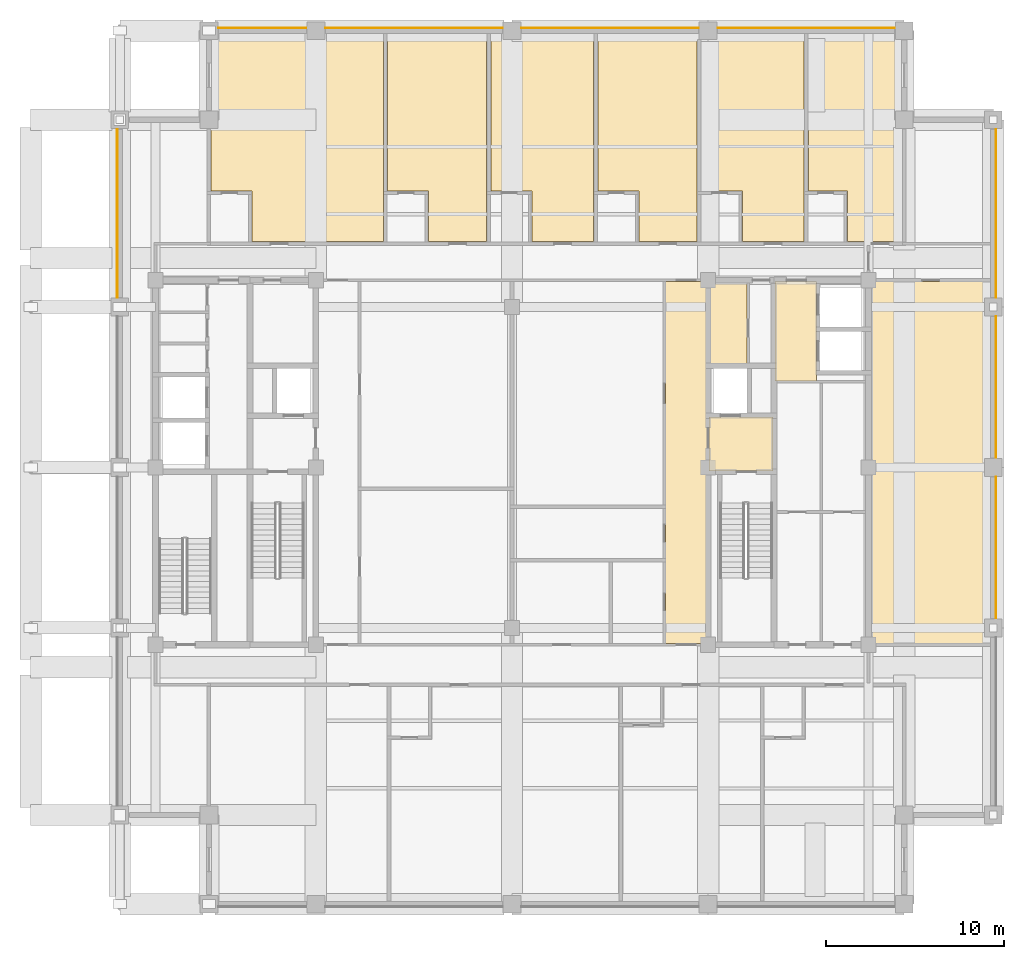
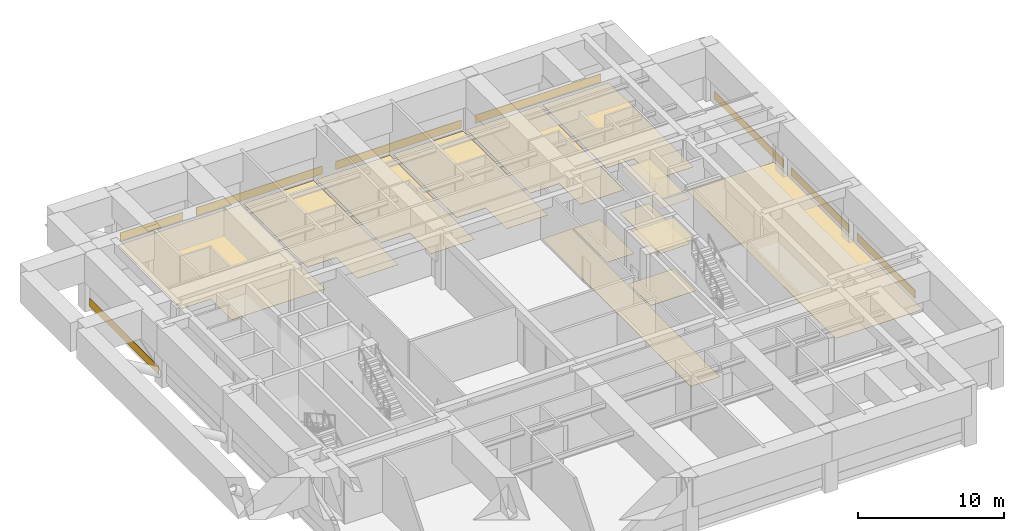
# One storey, part 11 of 11: 21 coverings.
"""IFC4 building model written with IfcOpenShell, lengths in metres."""

from ifc_helpers import new_model, si_unit, direction, frame, frame_2d, origin, place, context, subcontext, project, spatial, polyline, rectangle, outline, extrude, material, layer, layer_set, type_object, element, save


model = new_model("IFC4")

# Units and contexts
model_context = context("Model", 3, precision=1e-05, world=origin(), true_north=direction((0.0, 1.0)))
body_context = subcontext(model_context, "Body", "Model", "MODEL_VIEW")
ifc_project = project(units=[si_unit("LENGTHUNIT", "METRE"), si_unit("AREAUNIT", "SQUARE_METRE"), si_unit("VOLUMEUNIT", "CUBIC_METRE"), si_unit("PLANEANGLEUNIT", "RADIAN"), si_unit("MASSUNIT", "GRAM", prefix="KILO")], contexts=[model_context])

# Site, building, storey
site_placement = place(None, origin())
site = spatial("IfcSite", under=ifc_project, at=site_placement, CompositionType="ELEMENT")
building_placement = place(site_placement, origin())
building = spatial("IfcBuilding", under=site, at=building_placement, Name="Zulmaris Gate Convention Tower", CompositionType="ELEMENT")
storey_placement = place(building_placement, frame((0.0, 0.0, 186.4599609375)))
storey = spatial("IfcBuildingStorey", under=building, at=storey_placement, Name="L48", CompositionType="ELEMENT", Elevation=186.4599609375)

# Coverings
ifc_material_1 = material(Name="Precast concrete C40/50", Category="concrete")
ifc_layer_1 = layer(ifc_material_1, 0.0400390625, Name="Precast concrete C40/50")
ifc_layer_set_1 = layer_set([ifc_layer_1], Name="Precast concrete C40/50")
covering_type_1 = type_object("IfcCoveringType", Name="CLAD-SPANDREL-PRECAST", PredefinedType="CLADDING", material=ifc_layer_set_1)
covering_1_placement = place(storey_placement, frame((-11.530029296875, 24.64990234375, 0.0), z_axis=(0.0, 0.0, 1.0), x_axis=(-1.0, 0.0, 0.0)))
element("IfcCovering", 1, at=covering_1_placement, inside=storey, type_object=covering_type_1, Name="CLD-L48-N-0_0", PredefinedType="CLADDING", context=body_context, shape_type="SweptSolid", body=[
    extrude(rectangle(XDim=4.93994140625, YDim=0.0400390625, at=frame_2d((2.469970703125, 0.0))), origin(), (0.0, 0.0, 1.0), 0.679931640625),
])
for number, where, z_axis, x_axis, name in (
    (2, (-0.530029296875, 24.64990234375, 0.0), (0.0, 0.0, 1.0), (-1.0, 0.0, 0.0), "CLD-L48-N-1_0"),
    (3, (10.469970703125, 24.64990234375, 0.0), (0.0, 0.0, 1.0), (-1.0, 0.0, 0.0), "CLD-L48-N-2_0"),
    (4, (21.469970703125, 24.64990234375, 0.0), (0.0, 0.0, 1.0), (-1.0, 0.0, 0.0), "CLD-L48-N-3_0"),
):
    element("IfcCovering", number, at=place(storey_placement, frame(where, z_axis=z_axis, x_axis=x_axis)), inside=storey, type_object=covering_type_1, Name=name, PredefinedType="CLADDING", context=body_context, shape_type="SweptSolid", body=[
        extrude(rectangle(XDim=9.93994140625, YDim=0.0400390625, at=frame_2d((4.969970703125, 0.0))), origin(), (0.0, 0.0, 1.0), 0.679931640625),
    ])
for number, where, z_axis, x_axis, name in (
    (5, (27.14990234375, -8.469970703125, 0.0), (0.0, 0.0, 1.0), (0.0, 1.0, 0.0), "CLD-L48-E-1_0"),
    (6, (27.14990234375, 0.530029296875, 0.0), (0.0, 0.0, 1.0), (0.0, 1.0, 0.0), "CLD-L48-E-2_0"),
):
    element("IfcCovering", number, at=place(storey_placement, frame(where, z_axis=z_axis, x_axis=x_axis)), inside=storey, type_object=covering_type_1, Name=name, PredefinedType="CLADDING", context=body_context, shape_type="SweptSolid", body=[
        extrude(rectangle(XDim=7.93994140625, YDim=0.0400390625, at=frame_2d((3.969970703125, 0.0))), origin(), (0.0, 0.0, 1.0), 0.679931640625),
    ])
for number, where, z_axis, x_axis, name in (
    (7, (27.14990234375, 9.530029296875, 0.0), (0.0, 0.0, 1.0), (0.0, 1.0, 0.0), "CLD-L48-E-3_0"),
    (8, (-22.14990234375, 18.969970703125, 0.0), (0.0, 0.0, 1.0), (0.0, -1.0, 0.0), "CLD-L48-W-3_0"),
):
    element("IfcCovering", number, at=place(storey_placement, frame(where, z_axis=z_axis, x_axis=x_axis)), inside=storey, type_object=covering_type_1, Name=name, PredefinedType="CLADDING", context=body_context, shape_type="SweptSolid", body=[
        extrude(rectangle(XDim=9.43994140625, YDim=0.0400390625, at=frame_2d((4.719970703125, 0.0))), origin(), (0.0, 0.0, 1.0), 0.679931640625),
    ])
ifc_material_2 = material(Name="Mineral Fibre Acoustic Ceiling Tile")
ifc_layer_2 = layer(ifc_material_2, 0.02001953125, Name="Mineral Fibre Acoustic Ceiling Tile")
ifc_layer_set_2 = layer_set([ifc_layer_2], Name="Mineral Fibre Acoustic Ceiling Tile")
covering_type_2 = type_object("IfcCoveringType", Name="CLG-ACOUSTIC-600", PredefinedType="CEILING", material=ifc_layer_set_2)
covering_2_placement = place(storey_placement, frame((0.0, 0.0, 4.294921875)))
element("IfcCovering", 9, at=covering_2_placement, inside=storey, type_object=covering_type_2, Name="CLG-L48-R08", PredefinedType="CEILING", context=body_context, shape_type="SweptSolid", body=[
    extrude(outline(polyline([(11.06005859375, -0.18994140625), (14.639892578125, -0.18994140625), (14.639892578125, 2.840087890625), (11.06005859375, 2.840087890625), (11.06005859375, -0.18994140625)])), origin(), (0.0, 0.0, 1.0), 0.02001953125),
])
covering_3_placement = place(storey_placement, frame((0.0, 0.0, 3.735107421875)))
element("IfcCovering", 10, at=covering_3_placement, inside=storey, type_object=covering_type_2, Name="CLG-L48-R24", PredefinedType="CEILING", context=body_context, shape_type="SweptSolid", body=[
    extrude(outline(polyline([(14.760009765625, 4.860107421875), (17.090087890625, 4.860107421875), (17.090087890625, 10.43994140625), (14.760009765625, 10.43994140625), (14.760009765625, 4.860107421875)])), origin(), (0.0, 0.0, 1.0), 0.02001953125),
])
ifc_material_3 = material(Name="Woven Acoustic Wool Carpet Tile")
ifc_layer_3 = layer(ifc_material_3, 0.02001953125, Name="Woven Acoustic Wool Carpet Tile")
ifc_layer_set_3 = layer_set([ifc_layer_3], Name="Woven Acoustic Wool Carpet Tile")
covering_type_3 = type_object("IfcCoveringType", Name="FLR-CARPET-12", PredefinedType="FLOORING", material=ifc_layer_set_3)
covering_4_placement = place(storey_placement, origin())
element("IfcCovering", 11, at=covering_4_placement, inside=storey, type_object=covering_type_3, Name="FLR-L48-R08", PredefinedType="FLOORING", context=body_context, shape_type="SweptSolid", body=[
    extrude(outline(polyline([(11.06005859375, -0.18994140625), (14.639892578125, -0.18994140625), (14.639892578125, 2.840087890625), (11.06005859375, 2.840087890625), (11.06005859375, -0.18994140625)])), origin(), (0.0, 0.0, 1.0), 0.02001953125),
])
covering_5_placement = place(storey_placement, origin())
element("IfcCovering", 12, at=covering_5_placement, inside=storey, type_object=covering_type_3, Name="FLR-L48-R12", PredefinedType="FLOORING", context=body_context, shape_type="SweptSolid", body=[
    extrude(outline(polyline([(11.06005859375, 5.760009765625), (13.18994140625, 5.760009765625), (13.18994140625, 10.43994140625), (11.06005859375, 10.43994140625), (11.06005859375, 5.760009765625)])), origin(), (0.0, 0.0, 1.0), 0.02001953125),
])
covering_6_placement = place(storey_placement, origin())
element("IfcCovering", 13, at=covering_6_placement, inside=storey, type_object=covering_type_3, Name="FLR-L48-R24", PredefinedType="FLOORING", context=body_context, shape_type="SweptSolid", body=[
    extrude(outline(polyline([(14.760009765625, 4.860107421875), (17.090087890625, 4.860107421875), (17.090087890625, 10.43994140625), (14.760009765625, 10.43994140625), (14.760009765625, 4.860107421875)])), origin(), (0.0, 0.0, 1.0), 0.02001953125),
])
covering_7_placement = place(storey_placement, origin())
element("IfcCovering", 14, at=covering_7_placement, inside=storey, type_object=covering_type_3, Name="FLR-L48-R32", PredefinedType="FLOORING", context=body_context, shape_type="SweptSolid", body=[
    extrude(outline(polyline([(8.610107421875, -9.889892578125), (10.93994140625, -9.889892578125), (10.93994140625, 10.43994140625), (8.610107421875, 10.43994140625), (8.610107421875, -9.889892578125)])), origin(), (0.0, 0.0, 1.0), 0.02001953125),
])
covering_8_placement = place(storey_placement, origin())
element("IfcCovering", 15, at=covering_8_placement, inside=storey, type_object=covering_type_3, Name="FLR-L48-R44", PredefinedType="FLOORING", context=body_context, shape_type="SweptSolid", body=[
    extrude(outline(polyline([(18.820068359375, 12.669921875), (21.8798828125, 12.669921875), (21.8798828125, 24.260009765625), (16.6201171875, 24.260009765625), (16.6201171875, 15.52001953125), (18.820068359375, 15.52001953125), (18.820068359375, 12.669921875)])), origin(), (0.0, 0.0, 1.0), 0.02001953125),
])
ifc_material_4 = material(Name="Engineered Teak Parquet Flooring")
ifc_layer_4 = layer(ifc_material_4, 0.02001953125, Name="Engineered Teak Parquet Flooring")
ifc_layer_set_4 = layer_set([ifc_layer_4], Name="Engineered Teak Parquet Flooring")
covering_type_4 = type_object("IfcCoveringType", Name="FLR-TIMBER-18", PredefinedType="FLOORING", material=ifc_layer_set_4)
covering_9_placement = place(storey_placement, origin())
element("IfcCovering", 16, at=covering_9_placement, inside=storey, type_object=covering_type_4, Name="FLR-L48-R34", PredefinedType="FLOORING", context=body_context, shape_type="SweptSolid", body=[
    extrude(outline(polyline([(-14.580078125, 12.669921875), (-7.219970703125, 12.669921875), (-7.219970703125, 24.260009765625), (-16.8798828125, 24.260009765625), (-16.8798828125, 15.52001953125), (-14.580078125, 15.52001953125), (-14.580078125, 12.669921875)])), origin(), (0.0, 0.0, 1.0), 0.02001953125),
])
covering_10_placement = place(storey_placement, origin())
element("IfcCovering", 17, at=covering_10_placement, inside=storey, type_object=covering_type_4, Name="FLR-L48-R36", PredefinedType="FLOORING", context=body_context, shape_type="SweptSolid", body=[
    extrude(outline(polyline([(-4.679931640625, 12.669921875), (-1.419921875, 12.669921875), (-1.419921875, 24.260009765625), (-6.97998046875, 24.260009765625), (-6.97998046875, 15.52001953125), (-4.679931640625, 15.52001953125), (-4.679931640625, 12.669921875)])), origin(), (0.0, 0.0, 1.0), 0.02001953125),
])
covering_11_placement = place(storey_placement, origin())
element("IfcCovering", 18, at=covering_11_placement, inside=storey, type_object=covering_type_4, Name="FLR-L48-R38", PredefinedType="FLOORING", context=body_context, shape_type="SweptSolid", body=[
    extrude(outline(polyline([(1.1201171875, 12.669921875), (4.580078125, 12.669921875), (4.580078125, 24.260009765625), (-1.179931640625, 24.260009765625), (-1.179931640625, 15.52001953125), (1.1201171875, 15.52001953125), (1.1201171875, 12.669921875)])), origin(), (0.0, 0.0, 1.0), 0.02001953125),
])
covering_12_placement = place(storey_placement, origin())
element("IfcCovering", 19, at=covering_12_placement, inside=storey, type_object=covering_type_4, Name="FLR-L48-R40", PredefinedType="FLOORING", context=body_context, shape_type="SweptSolid", body=[
    extrude(outline(polyline([(7.1201171875, 12.669921875), (10.3798828125, 12.669921875), (10.3798828125, 24.260009765625), (4.820068359375, 24.260009765625), (4.820068359375, 15.52001953125), (7.1201171875, 15.52001953125), (7.1201171875, 12.669921875)])), origin(), (0.0, 0.0, 1.0), 0.02001953125),
])
covering_13_placement = place(storey_placement, origin())
element("IfcCovering", 20, at=covering_13_placement, inside=storey, type_object=covering_type_4, Name="FLR-L48-R42", PredefinedType="FLOORING", context=body_context, shape_type="SweptSolid", body=[
    extrude(outline(polyline([(12.919921875, 12.669921875), (16.3798828125, 12.669921875), (16.3798828125, 24.260009765625), (10.6201171875, 24.260009765625), (10.6201171875, 15.52001953125), (12.919921875, 15.52001953125), (12.919921875, 12.669921875)])), origin(), (0.0, 0.0, 1.0), 0.02001953125),
])
covering_14_placement = place(storey_placement, origin())
element("IfcCovering", 21, at=covering_14_placement, inside=storey, type_object=covering_type_4, Name="FLR-L48-R59", PredefinedType="FLOORING", context=body_context, shape_type="SweptSolid", body=[
    extrude(outline(polyline([(20.06005859375, -9.889892578125), (26.93994140625, -9.889892578125), (26.93994140625, 10.43994140625), (20.06005859375, 10.43994140625), (20.06005859375, -9.889892578125)])), origin(), (0.0, 0.0, 1.0), 0.02001953125),
])

save(model, "model.ifc")
